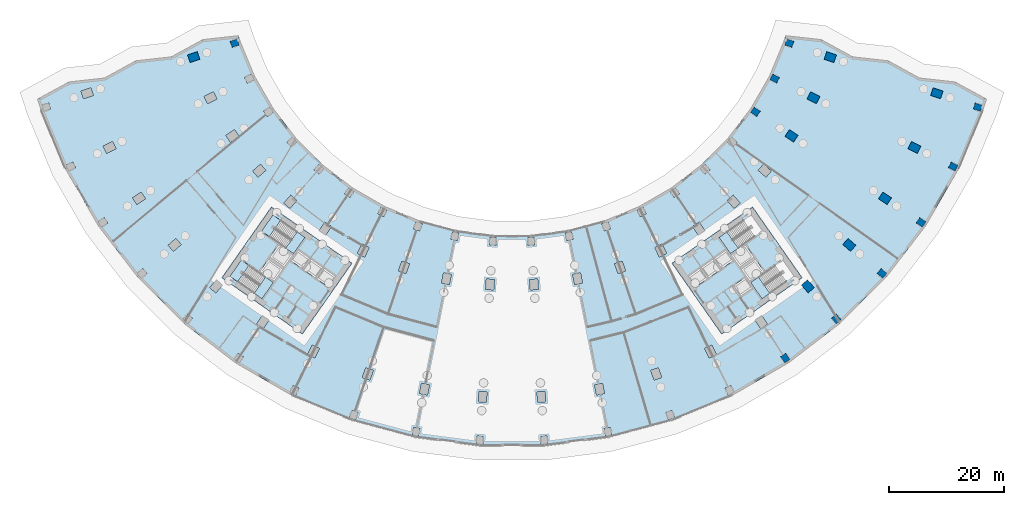
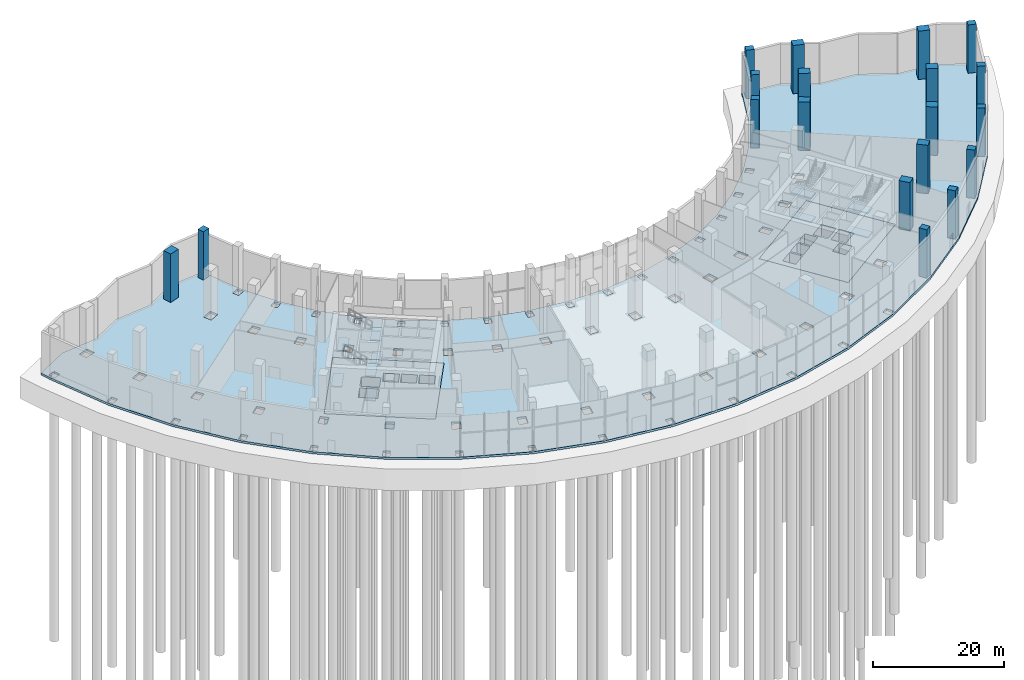
# One storey, part 2 of 23: 19 columns, 13 slabs, 4 elements without a shape of their own.
"""IFC4 building model written with IfcOpenShell, lengths in metres."""

from ifc_helpers import new_model, si_unit, direction, frame, origin, origin_2d, place, context, subcontext, project, spatial, polyline, rectangle, outline, extrude, material, layer, layer_set, material_profile, profile_set, type_object, element, aggregate, save


model = new_model("IFC4")

# Units and contexts
model_context = context("Model", 3, precision=1e-05, world=origin(), true_north=direction((0.0, 1.0)))
body_context = subcontext(model_context, "Body", "Model", "MODEL_VIEW")
ifc_project = project(units=[si_unit("LENGTHUNIT", "METRE"), si_unit("AREAUNIT", "SQUARE_METRE"), si_unit("VOLUMEUNIT", "CUBIC_METRE"), si_unit("PLANEANGLEUNIT", "RADIAN"), si_unit("MASSUNIT", "GRAM", prefix="KILO")], contexts=[model_context])

# Site, building, storey
site_placement = place(None, origin())
site = spatial("IfcSite", under=ifc_project, at=site_placement, CompositionType="ELEMENT")
building_placement = place(site_placement, origin())
building = spatial("IfcBuilding", under=site, at=building_placement, Name="Qamariyya Broadcast Tower", CompositionType="ELEMENT")
storey_placement = place(building_placement, origin())
storey = spatial("IfcBuildingStorey", under=building, at=storey_placement, Name="L00", CompositionType="ELEMENT", Elevation=0.0)

# Columns
ifc_material_1 = material(Name="Concrete C70/85", Category="concrete")
ifc_material_profile_1 = material_profile(ifc_material_1, rectangle(XDim=1.10009765625, YDim=1.300048828125, at=origin_2d()))
ifc_profile_set_1 = profile_set([ifc_material_profile_1], Name="Concrete C70/85")
column_type_1 = type_object("IfcColumnType", Name="RC column 1100 x 1300 C70/85 from raft", PredefinedType="COLUMN", material=ifc_profile_set_1)
for number, where, z_axis, x_axis, name in (
    (1, (-48.056640625, -16.31298828125, -0.39990234375), (0.0, 0.0, 1.0), (0.321439465303, -0.946930129495, 0.0), "Column C1 L00 A-R01"),
    (2, (47.3623046875, -70.8828125, -0.39990234375), (0.0, 0.0, 1.0), (0.831469612303, 0.55557023302, 0.0), "Column C1 L00 D-R15"),
    (3, (56.209228515625, -64.09423828125, -0.39990234375), (0.0, 0.0, 1.0), (0.751839807479, 0.6593458151, 0.0), "Column C1 L00 D-R16"),
    (4, (64.09423828125, -56.209228515625, -0.39990234375), (0.0, 0.0, 1.0), (0.6593458151, 0.751839807479, 0.0), "Column C1 L00 D-R17"),
    (5, (42.197021484375, -28.195068359375, -0.39990234375), (0.0, 0.0, 1.0), (0.55557023302, 0.831469612303, 0.0), "Column C1 L00 A-R18"),
    (6, (70.8828125, -47.3623046875, -0.39990234375), (0.0, 0.0, 1.0), (0.55557023302, 0.831469612303, 0.0), "Column C1 L00 D-R18"),
    (7, (45.516357421875, -22.446044921875, -0.39990234375), (0.0, 0.0, 1.0), (0.442288690219, 0.896872741533, 0.0), "Column C1 L00 A-R19"),
    (8, (76.45849609375, -37.705078125, -0.39990234375), (0.0, 0.0, 1.0), (0.442288690219, 0.896872741533, 0.0), "Column C1 L00 D-R19"),
    (9, (48.056640625, -16.31298828125, -0.39990234375), (0.0, 0.0, 1.0), (0.321439465303, 0.946930129495, 0.0), "Column C1 L00 A-R20"),
    (10, (80.725830078125, -27.40283203125, -0.39990234375), (0.0, 0.0, 1.0), (0.321439465303, 0.946930129495, 0.0), "Column C1 L00 D-R20"),
):
    element("IfcColumn", number, at=place(storey_placement, frame(where, z_axis=z_axis, x_axis=x_axis)), inside=storey, type_object=column_type_1, Name=name, PredefinedType="COLUMN", context=body_context, shape_type="SweptSolid", body=[
        extrude(rectangle(XDim=1.10009765625, YDim=1.300048828125, at=origin_2d()), origin(), (0.0, 0.0, 1.0), 9.39990234375),
    ])
ifc_material_profile_2 = material_profile(ifc_material_1, rectangle(XDim=1.39990234375, YDim=1.800048828125, at=origin_2d()))
ifc_profile_set_2 = profile_set([ifc_material_profile_2], Name="Concrete C70/85")
column_type_2 = type_object("IfcColumnType", Name="RC column 1400 x 1800 C70/85 from raft", PredefinedType="COLUMN", material=ifc_profile_set_2)
for number, where, z_axis, x_axis, name in (
    (11, (-55.15869140625, -18.723876953125, -0.39990234375), (0.0, 0.0, 1.0), (0.321439465303, -0.946930129495, 0.0), "Column C2 L00 B-R01"),
    (12, (51.26416015625, -58.45556640625, -0.39990234375), (0.0, 0.0, 1.0), (0.751839807479, 0.6593458151, 0.0), "Column C2 L00 C-R16"),
    (13, (58.45556640625, -51.26416015625, -0.39990234375), (0.0, 0.0, 1.0), (0.6593458151, 0.751839807479, 0.0), "Column C2 L00 C-R17"),
    (14, (48.43310546875, -32.362060546875, -0.39990234375), (0.0, 0.0, 1.0), (0.55557023302, 0.831469612303, 0.0), "Column C2 L00 B-R18"),
    (15, (64.646728515625, -43.195556640625, -0.39990234375), (0.0, 0.0, 1.0), (0.55557023302, 0.831469612303, 0.0), "Column C2 L00 C-R18"),
    (16, (52.242919921875, -25.763427734375, -0.39990234375), (0.0, 0.0, 1.0), (0.442288690219, 0.896872741533, 0.0), "Column C2 L00 B-R19"),
    (17, (69.73193359375, -34.387939453125, -0.39990234375), (0.0, 0.0, 1.0), (0.442288690219, 0.896872741533, 0.0), "Column C2 L00 C-R19"),
    (18, (55.15869140625, -18.723876953125, -0.39990234375), (0.0, 0.0, 1.0), (0.321439465303, 0.946930129495, 0.0), "Column C2 L00 B-R20"),
    (19, (73.623779296875, -24.991943359375, -0.39990234375), (0.0, 0.0, 1.0), (0.321439465303, 0.946930129495, 0.0), "Column C2 L00 C-R20"),
):
    element("IfcColumn", number, at=place(storey_placement, frame(where, z_axis=z_axis, x_axis=x_axis)), inside=storey, type_object=column_type_2, Name=name, PredefinedType="COLUMN", context=body_context, shape_type="SweptSolid", body=[
        extrude(rectangle(XDim=1.39990234375, YDim=1.800048828125, at=origin_2d()), origin(), (0.0, 0.0, 1.0), 9.39990234375),
    ])

# Slabs
ifc_material_2 = material(Name="Concrete C40/50", Category="concrete")
ifc_layer_1 = layer(ifc_material_2, 2.199951171875)
ifc_layer_set_1 = layer_set([ifc_layer_1], Name="Core raft slab 2200 mm Concrete C40/50")
slab_type_1 = type_object("IfcSlabType", Name="Core raft slab 2200 mm Concrete C40/50", PredefinedType="BASESLAB", material=ifc_layer_set_1)
slab_1_placement = place(storey_placement, frame((0.0, 0.0, -2.199951171875)))
element("IfcSlab", 20, at=slab_1_placement, inside=storey, type_object=slab_type_1, Name="k-W-L00-base", PredefinedType="BASESLAB", context=body_context, shape_type="SweptSolid", body=[
    extrude(outline(polyline([(-50.286376953125, -56.95751953125), (-36.32373046875, -66.734375), (-27.719970703125, -54.447021484375), (-41.6826171875, -44.67041015625), (-50.286376953125, -56.95751953125)]), holes=[polyline([(-31.80859375, -58.542724609375), (-33.8154296875, -57.137451171875), (-32.5537109375, -55.335205078125), (-30.546630859375, -56.740478515625), (-31.80859375, -58.542724609375)]), polyline([(-34.061279296875, -56.96533203125), (-36.068115234375, -55.56005859375), (-34.806396484375, -53.758056640625), (-32.79931640625, -55.163330078125), (-34.061279296875, -56.96533203125)]), polyline([(-36.31396484375, -55.387939453125), (-38.32080078125, -53.982666015625), (-37.058837890625, -52.1806640625), (-35.052001953125, -53.5859375), (-36.31396484375, -55.387939453125)]), polyline([(-39.742431640625, -55.489990234375), (-42.199951171875, -53.769287109375), (-43.6337890625, -55.817138671875), (-41.17626953125, -57.537841796875), (-39.742431640625, -55.489990234375)]), polyline([(-39.45556640625, -55.080322265625), (-41.9130859375, -53.359619140625), (-40.47900390625, -51.311767578125), (-38.021728515625, -53.032470703125), (-39.45556640625, -55.080322265625)])]), origin(), (0.0, 0.0, 1.0), 2.199951171875),
])
slab_2_placement = place(storey_placement, frame((0.0, 0.0, -2.199951171875)))
element("IfcSlab", 21, at=slab_2_placement, inside=storey, type_object=slab_type_1, Name="k-E-L00-base", PredefinedType="BASESLAB", context=body_context, shape_type="SweptSolid", body=[
    extrude(outline(polyline([(36.32373046875, -66.734375), (50.286376953125, -56.95751953125), (41.6826171875, -44.67041015625), (27.719970703125, -54.447021484375), (36.32373046875, -66.734375)]), holes=[polyline([(31.80859375, -58.542724609375), (33.8154296875, -57.137451171875), (32.5537109375, -55.335205078125), (30.546630859375, -56.740478515625), (31.80859375, -58.542724609375)]), polyline([(34.061279296875, -56.96533203125), (36.068115234375, -55.56005859375), (34.806396484375, -53.758056640625), (32.79931640625, -55.163330078125), (34.061279296875, -56.96533203125)]), polyline([(36.31396484375, -55.387939453125), (38.32080078125, -53.982666015625), (37.058837890625, -52.1806640625), (35.052001953125, -53.5859375), (36.31396484375, -55.387939453125)]), polyline([(38.378662109375, -58.3369140625), (40.3857421875, -56.931640625), (41.6474609375, -58.73388671875), (39.640625, -60.13916015625), (38.378662109375, -58.3369140625)]), polyline([(39.742431640625, -55.489990234375), (42.199951171875, -53.769287109375), (43.6337890625, -55.817138671875), (41.17626953125, -57.537841796875), (39.742431640625, -55.489990234375)]), polyline([(39.45556640625, -55.080322265625), (41.9130859375, -53.359619140625), (40.47900390625, -51.311767578125), (38.021728515625, -53.032470703125), (39.45556640625, -55.080322265625)])]), origin(), (0.0, 0.0, 1.0), 2.199951171875),
])
ifc_layer_2 = layer(ifc_material_2, 0.39990234375)
ifc_layer_set_2 = layer_set([ifc_layer_2], Name="Ground slab 400 C40/50")
slab_type_2 = type_object("IfcSlabType", Name="Ground slab 400 C40/50", PredefinedType="BASESLAB", material=ifc_layer_set_2)
slab_3_placement = place(storey_placement, frame((0.0, 0.0, -0.39990234375)))
element("IfcSlab", 22, at=slab_3_placement, inside=storey, type_object=slab_type_2, Name="Floor slab S2 L00", PredefinedType="BASESLAB", context=body_context, shape_type="SweptSolid", body=[
    extrude(outline(polyline([(-76.78857421875, -23.0263671875), (-82.2353515625, -26.007568359375), (-81.672607421875, -27.72412109375), (-77.355224609375, -38.1474609375), (-71.71435546875, -47.91796875), (-64.84619140625, -56.86865234375), (-56.86865234375, -64.84619140625), (-47.91796875, -71.71435546875), (-38.1474609375, -77.355224609375), (-27.72412109375, -81.672607421875), (-16.82666015625, -84.5927734375), (-5.64111328125, -86.0654296875), (5.64111328125, -86.0654296875), (16.82666015625, -84.5927734375), (27.72412109375, -81.672607421875), (38.1474609375, -77.355224609375), (47.91796875, -71.71435546875), (56.86865234375, -64.84619140625), (64.84619140625, -56.86865234375), (71.71435546875, -47.91796875), (77.355224609375, -38.1474609375), (81.672607421875, -27.72412109375), (82.2353515625, -26.007568359375), (76.78857421875, -23.0263671875), (70.635009765625, -22.3388671875), (65.1865234375, -19.357421875), (59.03466796875, -18.670166015625), (53.583984375, -15.68798828125), (47.434326171875, -15.00146484375), (47.10986328125, -15.99169921875), (44.619384765625, -22.00390625), (41.36572265625, -27.6396484375), (37.404052734375, -32.802490234375), (32.802490234375, -37.404052734375), (27.6396484375, -41.36572265625), (22.00390625, -44.619384765625), (15.99169921875, -47.10986328125), (9.705810546875, -48.794189453125), (3.25390625, -49.6435546875), (-3.25390625, -49.6435546875), (-9.705810546875, -48.794189453125), (-15.99169921875, -47.10986328125), (-22.00390625, -44.619384765625), (-27.6396484375, -41.36572265625), (-32.802490234375, -37.404052734375), (-37.404052734375, -32.802490234375), (-41.36572265625, -27.6396484375), (-44.619384765625, -22.00390625), (-47.10986328125, -15.99169921875), (-47.434326171875, -15.00146484375), (-53.583984375, -15.68798828125), (-59.03466796875, -18.670166015625), (-65.1865234375, -19.357421875), (-70.635009765625, -22.3388671875), (-76.78857421875, -23.0263671875)]), holes=[polyline([(-27.714599609375, -79.93359375), (-26.6728515625, -80.287109375), (-27.0908203125, -81.51806640625), (-28.132568359375, -81.16455078125), (-27.714599609375, -79.93359375)]), polyline([(-37.910888671875, -75.632080078125), (-36.92431640625, -76.11865234375), (-37.499267578125, -77.28466796875), (-38.48583984375, -76.798095703125), (-37.910888671875, -75.632080078125)]), polyline([(-47.45849609375, -70.036865234375), (-46.5439453125, -70.64794921875), (-47.26611328125, -71.728759765625), (-48.180908203125, -71.11767578125), (-47.45849609375, -70.036865234375)]), polyline([(-33.362060546875, -69.234375), (-34.158203125, -70.8486328125), (-35.413818359375, -70.2294921875), (-34.61767578125, -68.614990234375), (-33.362060546875, -69.234375)]), polyline([(-42.113525390625, -64.287353515625), (-43.113525390625, -65.783935546875), (-44.277587890625, -65.006103515625), (-43.277587890625, -63.509521484375), (-42.113525390625, -64.287353515625)]), polyline([(-56.194091796875, -63.242919921875), (-55.3671875, -63.96826171875), (-56.224365234375, -64.94580078125), (-57.05126953125, -64.220458984375), (-56.194091796875, -63.242919921875)]), polyline([(-51.197021484375, -57.3173828125), (-50.14453125, -58.240478515625), (-51.331298828125, -59.59375), (-52.3837890625, -58.670654296875), (-51.197021484375, -57.3173828125)]), polyline([(-63.96826171875, -55.3671875), (-63.242919921875, -56.194091796875), (-64.220458984375, -57.05126953125), (-64.94580078125, -56.224365234375), (-63.96826171875, -55.3671875)]), polyline([(-27.719970703125, -54.447021484375), (-36.32373046875, -66.734375), (-50.286376953125, -56.95751953125), (-41.6826171875, -44.67041015625), (-27.719970703125, -54.447021484375)]), polyline([(-57.3173828125, -51.197021484375), (-58.670654296875, -52.3837890625), (-59.59375, -51.331298828125), (-58.240478515625, -50.14453125), (-57.3173828125, -51.197021484375)]), polyline([(-32.444091796875, -47.2958984375), (-31.280029296875, -48.07373046875), (-32.280029296875, -49.5703125), (-33.444091796875, -48.79248046875), (-32.444091796875, -47.2958984375)]), polyline([(-70.64794921875, -46.5439453125), (-70.036865234375, -47.45849609375), (-71.11767578125, -48.180908203125), (-71.728759765625, -47.26611328125), (-70.64794921875, -46.5439453125)]), polyline([(-38.33984375, -42.656494140625), (-37.287109375, -43.57958984375), (-38.47412109375, -44.932861328125), (-39.526611328125, -44.009765625), (-38.33984375, -42.656494140625)]), polyline([(-63.509521484375, -43.277587890625), (-65.006103515625, -44.277587890625), (-65.783935546875, -43.113525390625), (-64.287353515625, -42.113525390625), (-63.509521484375, -43.277587890625)]), polyline([(-27.376708984375, -41.962158203125), (-28.09912109375, -43.043212890625), (-29.013671875, -42.431884765625), (-28.291259765625, -41.35107421875), (-27.376708984375, -41.962158203125)]), polyline([(-43.57958984375, -37.287109375), (-42.656494140625, -38.33984375), (-44.009765625, -39.526611328125), (-44.932861328125, -38.47412109375), (-43.57958984375, -37.287109375)]), polyline([(-33.44677734375, -37.304443359375), (-32.61962890625, -38.02978515625), (-33.476806640625, -39.00732421875), (-34.303955078125, -38.281982421875), (-33.44677734375, -37.304443359375)]), polyline([(-76.11865234375, -36.92431640625), (-75.632080078125, -37.910888671875), (-76.798095703125, -38.48583984375), (-77.28466796875, -37.499267578125), (-76.11865234375, -36.92431640625)]), polyline([(-68.614990234375, -34.61767578125), (-70.2294921875, -35.413818359375), (-70.8486328125, -34.158203125), (-69.234375, -33.362060546875), (-68.614990234375, -34.61767578125)]), polyline([(-37.304443359375, -33.44677734375), (-38.281982421875, -34.303955078125), (-39.00732421875, -33.476806640625), (-38.02978515625, -32.61962890625), (-37.304443359375, -33.44677734375)]), polyline([(-48.07373046875, -31.280029296875), (-47.2958984375, -32.444091796875), (-48.79248046875, -33.444091796875), (-49.5703125, -32.280029296875), (-48.07373046875, -31.280029296875)]), polyline([(-41.962158203125, -27.376708984375), (-41.35107421875, -28.291259765625), (-42.431884765625, -29.013671875), (-43.043212890625, -28.09912109375), (-41.962158203125, -27.376708984375)]), polyline([(-80.287109375, -26.6728515625), (-79.93359375, -27.714599609375), (-81.16455078125, -28.132568359375), (-81.51806640625, -27.0908203125), (-80.287109375, -26.6728515625)]), polyline([(-51.1259765625, -25.9931640625), (-52.740478515625, -26.789306640625), (-53.359619140625, -25.533447265625), (-51.745361328125, -24.737548828125), (-51.1259765625, -25.9931640625)]), polyline([(-72.546630859375, -25.365478515625), (-74.2509765625, -25.944091796875), (-74.701171875, -24.618408203125), (-72.99658203125, -24.039794921875), (-72.546630859375, -25.365478515625)]), polyline([(-45.176513671875, -21.665283203125), (-44.690185546875, -22.65185546875), (-45.85595703125, -23.226806640625), (-46.342529296875, -22.240478515625), (-45.176513671875, -21.665283203125)]), polyline([(-54.531494140625, -17.771728515625), (-54.08154296875, -19.097412109375), (-55.785888671875, -19.676025390625), (-56.23583984375, -18.350341796875), (-54.531494140625, -17.771728515625)]), polyline([(-47.617919921875, -15.583251953125), (-47.264404296875, -16.625), (-48.495361328125, -17.042724609375), (-48.84912109375, -16.001220703125), (-47.617919921875, -15.583251953125)]), polyline([(6.08203125, -84.3828125), (6.1669921875, -85.68017578125), (5.0693359375, -85.751953125), (4.984375, -84.454833984375), (6.08203125, -84.3828125)]), polyline([(-4.984375, -84.454833984375), (-5.0693359375, -85.751953125), (-6.1669921875, -85.68017578125), (-6.08203125, -84.3828125), (-4.984375, -84.454833984375)]), polyline([(-17.044189453125, -82.8671875), (-15.965087890625, -83.081787109375), (-16.21875, -84.356689453125), (-17.297607421875, -84.14208984375), (-17.044189453125, -82.8671875)]), polyline([(15.965087890625, -83.081787109375), (17.044189453125, -82.8671875), (17.297607421875, -84.14208984375), (16.21875, -84.356689453125), (15.965087890625, -83.081787109375)]), polyline([(26.6728515625, -80.287109375), (27.714599609375, -79.93359375), (28.132568359375, -81.16455078125), (27.0908203125, -81.51806640625), (26.6728515625, -80.287109375)]), polyline([(-4.32763671875, -76.731201171875), (-4.445556640625, -78.52734375), (-5.842529296875, -78.435791015625), (-5.724853515625, -76.6396484375), (-4.32763671875, -76.731201171875)]), polyline([(5.724853515625, -76.6396484375), (5.842529296875, -78.435791015625), (4.445556640625, -78.52734375), (4.32763671875, -76.731201171875), (5.724853515625, -76.6396484375)]), polyline([(-15.67919921875, -75.23681640625), (-14.30615234375, -75.510009765625), (-14.6572265625, -77.275390625), (-16.030517578125, -77.002197265625), (-15.67919921875, -75.23681640625)]), polyline([(15.67919921875, -75.23681640625), (16.030517578125, -77.002197265625), (14.6572265625, -77.275390625), (14.30615234375, -75.510009765625), (15.67919921875, -75.23681640625)]), polyline([(-24.039794921875, -72.99658203125), (-24.618408203125, -74.701171875), (-25.944091796875, -74.2509765625), (-25.365478515625, -72.546630859375), (-24.039794921875, -72.99658203125)]), polyline([(24.039794921875, -72.99658203125), (25.365478515625, -72.546630859375), (25.944091796875, -74.2509765625), (24.618408203125, -74.701171875), (24.039794921875, -72.99658203125)]), polyline([(4.449462890625, -57.181396484375), (4.567138671875, -58.9775390625), (3.170166015625, -59.069091796875), (3.05224609375, -57.27294921875), (4.449462890625, -57.181396484375)]), polyline([(-3.05224609375, -57.27294921875), (-3.170166015625, -59.069091796875), (-4.567138671875, -58.9775390625), (-4.449462890625, -57.181396484375), (-3.05224609375, -57.27294921875)]), polyline([(10.501953125, -56.384521484375), (11.875, -56.111572265625), (12.22607421875, -57.876953125), (10.85302734375, -58.14990234375), (10.501953125, -56.384521484375)]), polyline([(-11.875, -56.111572265625), (-10.501953125, -56.384521484375), (-10.85302734375, -58.14990234375), (-12.22607421875, -57.876953125), (-11.875, -56.111572265625)]), polyline([(17.771728515625, -54.531494140625), (19.097412109375, -54.08154296875), (19.676025390625, -55.785888671875), (18.350341796875, -56.23583984375), (17.771728515625, -54.531494140625)]), polyline([(-17.771728515625, -54.531494140625), (-18.350341796875, -56.23583984375), (-19.676025390625, -55.785888671875), (-19.097412109375, -54.08154296875), (-17.771728515625, -54.531494140625)]), polyline([(-24.737548828125, -51.745361328125), (-25.533447265625, -53.359619140625), (-26.789306640625, -52.740478515625), (-25.9931640625, -51.1259765625), (-24.737548828125, -51.745361328125)]), polyline([(24.737548828125, -51.745361328125), (25.9931640625, -51.1259765625), (26.789306640625, -52.740478515625), (25.533447265625, -53.359619140625), (24.737548828125, -51.745361328125)]), polyline([(-3.825439453125, -49.956787109375), (-2.727783203125, -50.02880859375), (-2.81298828125, -51.325927734375), (-3.91064453125, -51.25390625), (-3.825439453125, -49.956787109375)]), polyline([(2.727783203125, -50.02880859375), (3.825439453125, -49.956787109375), (3.91064453125, -51.25390625), (2.81298828125, -51.325927734375), (2.727783203125, -50.02880859375)]), polyline([(-9.234619140625, -49.24462890625), (-9.48828125, -50.519775390625), (-10.567138671875, -50.30517578125), (-10.3134765625, -49.030029296875), (-9.234619140625, -49.24462890625)]), polyline([(10.3134765625, -49.030029296875), (10.567138671875, -50.30517578125), (9.48828125, -50.519775390625), (9.234619140625, -49.24462890625), (10.3134765625, -49.030029296875)]), polyline([(15.583251953125, -47.617919921875), (16.625, -47.264404296875), (17.042724609375, -48.495361328125), (16.001220703125, -48.84912109375), (15.583251953125, -47.617919921875)]), polyline([(-16.625, -47.264404296875), (-15.583251953125, -47.617919921875), (-16.001220703125, -48.84912109375), (-17.042724609375, -48.495361328125), (-16.625, -47.264404296875)]), polyline([(21.665283203125, -45.176513671875), (22.65185546875, -44.690185546875), (23.226806640625, -45.85595703125), (22.240478515625, -46.342529296875), (21.665283203125, -45.176513671875)]), polyline([(-21.665283203125, -45.176513671875), (-22.240478515625, -46.342529296875), (-23.226806640625, -45.85595703125), (-22.65185546875, -44.690185546875), (-21.665283203125, -45.176513671875)]), polyline([(28.291259765625, -41.35107421875), (29.013671875, -42.431884765625), (28.09912109375, -43.043212890625), (27.376708984375, -41.962158203125), (28.291259765625, -41.35107421875)]), polyline([(36.92431640625, -76.11865234375), (37.910888671875, -75.632080078125), (38.48583984375, -76.798095703125), (37.499267578125, -77.28466796875), (36.92431640625, -76.11865234375)]), polyline([(46.5439453125, -70.64794921875), (47.45849609375, -70.036865234375), (48.180908203125, -71.11767578125), (47.26611328125, -71.728759765625), (46.5439453125, -70.64794921875)]), polyline([(33.362060546875, -69.234375), (34.61767578125, -68.614990234375), (35.413818359375, -70.2294921875), (34.158203125, -70.8486328125), (33.362060546875, -69.234375)]), polyline([(43.277587890625, -63.509521484375), (44.277587890625, -65.006103515625), (43.113525390625, -65.783935546875), (42.113525390625, -64.287353515625), (43.277587890625, -63.509521484375)]), polyline([(56.194091796875, -63.242919921875), (57.05126953125, -64.220458984375), (56.224365234375, -64.94580078125), (55.3671875, -63.96826171875), (56.194091796875, -63.242919921875)]), polyline([(50.14453125, -58.240478515625), (51.197021484375, -57.3173828125), (52.3837890625, -58.670654296875), (51.331298828125, -59.59375), (50.14453125, -58.240478515625)]), polyline([(63.242919921875, -56.194091796875), (63.96826171875, -55.3671875), (64.94580078125, -56.224365234375), (64.220458984375, -57.05126953125), (63.242919921875, -56.194091796875)]), polyline([(27.719970703125, -54.447021484375), (41.6826171875, -44.67041015625), (50.286376953125, -56.95751953125), (36.32373046875, -66.734375), (27.719970703125, -54.447021484375)]), polyline([(58.240478515625, -50.14453125), (59.59375, -51.331298828125), (58.670654296875, -52.3837890625), (57.3173828125, -51.197021484375), (58.240478515625, -50.14453125)]), polyline([(32.444091796875, -47.2958984375), (33.444091796875, -48.79248046875), (32.280029296875, -49.5703125), (31.280029296875, -48.07373046875), (32.444091796875, -47.2958984375)]), polyline([(70.036865234375, -47.45849609375), (70.64794921875, -46.5439453125), (71.728759765625, -47.26611328125), (71.11767578125, -48.180908203125), (70.036865234375, -47.45849609375)]), polyline([(37.287109375, -43.57958984375), (38.33984375, -42.656494140625), (39.526611328125, -44.009765625), (38.47412109375, -44.932861328125), (37.287109375, -43.57958984375)]), polyline([(63.509521484375, -43.277587890625), (64.287353515625, -42.113525390625), (65.783935546875, -43.113525390625), (65.006103515625, -44.277587890625), (63.509521484375, -43.277587890625)]), polyline([(43.57958984375, -37.287109375), (44.932861328125, -38.47412109375), (44.009765625, -39.526611328125), (42.656494140625, -38.33984375), (43.57958984375, -37.287109375)]), polyline([(33.44677734375, -37.304443359375), (34.303955078125, -38.281982421875), (33.476806640625, -39.00732421875), (32.61962890625, -38.02978515625), (33.44677734375, -37.304443359375)]), polyline([(75.632080078125, -37.910888671875), (76.11865234375, -36.92431640625), (77.28466796875, -37.499267578125), (76.798095703125, -38.48583984375), (75.632080078125, -37.910888671875)]), polyline([(68.614990234375, -34.61767578125), (69.234375, -33.362060546875), (70.8486328125, -34.158203125), (70.2294921875, -35.413818359375), (68.614990234375, -34.61767578125)]), polyline([(37.304443359375, -33.44677734375), (38.02978515625, -32.61962890625), (39.00732421875, -33.476806640625), (38.281982421875, -34.303955078125), (37.304443359375, -33.44677734375)]), polyline([(48.07373046875, -31.280029296875), (49.5703125, -32.280029296875), (48.79248046875, -33.444091796875), (47.2958984375, -32.444091796875), (48.07373046875, -31.280029296875)]), polyline([(41.962158203125, -27.376708984375), (43.043212890625, -28.09912109375), (42.431884765625, -29.013671875), (41.35107421875, -28.291259765625), (41.962158203125, -27.376708984375)]), polyline([(79.93359375, -27.714599609375), (80.287109375, -26.6728515625), (81.51806640625, -27.0908203125), (81.16455078125, -28.132568359375), (79.93359375, -27.714599609375)]), polyline([(51.745361328125, -24.737548828125), (53.359619140625, -25.533447265625), (52.740478515625, -26.789306640625), (51.1259765625, -25.9931640625), (51.745361328125, -24.737548828125)]), polyline([(72.99658203125, -24.039794921875), (74.701171875, -24.618408203125), (74.2509765625, -25.944091796875), (72.546630859375, -25.365478515625), (72.99658203125, -24.039794921875)]), polyline([(44.690185546875, -22.65185546875), (45.176513671875, -21.665283203125), (46.342529296875, -22.240478515625), (45.85595703125, -23.226806640625), (44.690185546875, -22.65185546875)]), polyline([(54.531494140625, -17.771728515625), (56.23583984375, -18.350341796875), (55.785888671875, -19.676025390625), (54.08154296875, -19.097412109375), (54.531494140625, -17.771728515625)]), polyline([(47.617919921875, -15.583251953125), (48.84912109375, -16.001220703125), (48.495361328125, -17.042724609375), (47.264404296875, -16.625), (47.617919921875, -15.583251953125)])]), origin(), (0.0, 0.0, 1.0), 0.39990234375),
])

# Stair, slabs
ifc_material_3 = material(Name="Concrete C50/60", Category="concrete")
stair_type = type_object("IfcStairType", Name="Exit stair 52 risers of 173 mm", PredefinedType="HALF_TURN_STAIR", material=ifc_material_3)
stair_1_placement = place(storey_placement, origin())
stair_1 = element("IfcStair", 23, at=stair_1_placement, inside=storey, type_object=stair_type, Name="L00 Stair W2", PredefinedType="HALF_TURN_STAIR")
ifc_layer_3 = layer(ifc_material_3, 0.199951171875)
ifc_layer_set_3 = layer_set([ifc_layer_3], Name="Stair landing")
slab_type_3 = type_object("IfcSlabType", Name="Stair landing", PredefinedType="LANDING", material=ifc_layer_set_3)
slab_4_placement = place(storey_placement, frame((0.0, 0.0, 2.050048828125)))
slab_4 = element("IfcSlab", 24, at=slab_4_placement, type_object=slab_type_3, Name="ST-W2 landing 1", PredefinedType="LANDING", context=body_context, shape_type="SweptSolid", body=[
    extrude(outline(polyline([(-39.217041015625, -51.829345703125), (-37.849609375, -52.78662109375), (-35.870849609375, -49.960693359375), (-37.23828125, -49.003173828125), (-39.217041015625, -51.829345703125)])), origin(), (0.0, 0.0, 1.0), 0.199951171875),
])
slab_5_placement = place(storey_placement, frame((0.0, 0.0, 4.300048828125)))
slab_5 = element("IfcSlab", 25, at=slab_5_placement, type_object=slab_type_3, Name="ST-W2 landing 2", PredefinedType="LANDING", context=body_context, shape_type="SweptSolid", body=[
    extrude(outline(polyline([(-43.416015625, -48.88916015625), (-42.06103515625, -49.837890625), (-40.082275390625, -47.01171875), (-41.437255859375, -46.06298828125), (-43.416015625, -48.88916015625)])), origin(), (0.0, 0.0, 1.0), 0.199951171875),
])
slab_6_placement = place(storey_placement, frame((0.0, 0.0, 6.550048828125)))
slab_6 = element("IfcSlab", 26, at=slab_6_placement, type_object=slab_type_3, Name="ST-W2 landing 3", PredefinedType="LANDING", context=body_context, shape_type="SweptSolid", body=[
    extrude(outline(polyline([(-39.217041015625, -51.829345703125), (-37.849609375, -52.78662109375), (-35.870849609375, -49.960693359375), (-37.23828125, -49.003173828125), (-39.217041015625, -51.829345703125)])), origin(), (0.0, 0.0, 1.0), 0.199951171875),
])
aggregate(stair_1, [slab_4, slab_5, slab_6])

stair_2_placement = place(storey_placement, origin())
stair_2 = element("IfcStair", 27, at=stair_2_placement, inside=storey, type_object=stair_type, Name="L00 Stair W1", PredefinedType="HALF_TURN_STAIR")
slab_7_placement = place(storey_placement, frame((0.0, 0.0, 2.050048828125)))
slab_7 = element("IfcSlab", 28, at=slab_7_placement, type_object=slab_type_3, Name="ST-W1 landing 1", PredefinedType="LANDING", context=body_context, shape_type="SweptSolid", body=[
    extrude(outline(polyline([(-44.694580078125, -59.652099609375), (-43.3271484375, -60.609619140625), (-41.348388671875, -57.783447265625), (-42.7158203125, -56.826171875), (-44.694580078125, -59.652099609375)])), origin(), (0.0, 0.0, 1.0), 0.199951171875),
])
slab_8_placement = place(storey_placement, frame((0.0, 0.0, 4.300048828125)))
slab_8 = element("IfcSlab", 29, at=slab_8_placement, type_object=slab_type_3, Name="ST-W1 landing 2", PredefinedType="LANDING", context=body_context, shape_type="SweptSolid", body=[
    extrude(outline(polyline([(-48.8935546875, -56.7119140625), (-47.538818359375, -57.66064453125), (-45.559814453125, -54.834716796875), (-46.914794921875, -53.885986328125), (-48.8935546875, -56.7119140625)])), origin(), (0.0, 0.0, 1.0), 0.199951171875),
])
slab_9_placement = place(storey_placement, frame((0.0, 0.0, 6.550048828125)))
slab_9 = element("IfcSlab", 30, at=slab_9_placement, type_object=slab_type_3, Name="ST-W1 landing 3", PredefinedType="LANDING", context=body_context, shape_type="SweptSolid", body=[
    extrude(outline(polyline([(-44.694580078125, -59.652099609375), (-43.3271484375, -60.609619140625), (-41.348388671875, -57.783447265625), (-42.7158203125, -56.826171875), (-44.694580078125, -59.652099609375)])), origin(), (0.0, 0.0, 1.0), 0.199951171875),
])
aggregate(stair_2, [slab_7, slab_8, slab_9])

stair_3_placement = place(storey_placement, origin())
stair_3 = element("IfcStair", 31, at=stair_3_placement, inside=storey, type_object=stair_type, Name="L00 Stair E2", PredefinedType="HALF_TURN_STAIR")
slab_10_placement = place(storey_placement, frame((0.0, 0.0, 2.050048828125)))
slab_10 = element("IfcSlab", 32, at=slab_10_placement, type_object=slab_type_3, Name="ST-E2 landing 1", PredefinedType="LANDING", context=body_context, shape_type="SweptSolid", body=[
    extrude(outline(polyline([(37.23828125, -49.003173828125), (35.870849609375, -49.960693359375), (37.849609375, -52.78662109375), (39.217041015625, -51.829345703125), (37.23828125, -49.003173828125)])), origin(), (0.0, 0.0, 1.0), 0.199951171875),
])
slab_11_placement = place(storey_placement, frame((0.0, 0.0, 6.550048828125)))
slab_11 = element("IfcSlab", 33, at=slab_11_placement, type_object=slab_type_3, Name="ST-E2 landing 3", PredefinedType="LANDING", context=body_context, shape_type="SweptSolid", body=[
    extrude(outline(polyline([(37.23828125, -49.003173828125), (35.870849609375, -49.960693359375), (37.849609375, -52.78662109375), (39.217041015625, -51.829345703125), (37.23828125, -49.003173828125)])), origin(), (0.0, 0.0, 1.0), 0.199951171875),
])
aggregate(stair_3, [slab_10, slab_11])

stair_4_placement = place(storey_placement, origin())
stair_4 = element("IfcStair", 34, at=stair_4_placement, inside=storey, type_object=stair_type, Name="L00 Stair E1", PredefinedType="HALF_TURN_STAIR")
slab_12_placement = place(storey_placement, frame((0.0, 0.0, 2.050048828125)))
slab_12 = element("IfcSlab", 35, at=slab_12_placement, type_object=slab_type_3, Name="ST-E1 landing 1", PredefinedType="LANDING", context=body_context, shape_type="SweptSolid", body=[
    extrude(outline(polyline([(42.7158203125, -56.826171875), (41.348388671875, -57.783447265625), (43.3271484375, -60.609619140625), (44.694580078125, -59.652099609375), (42.7158203125, -56.826171875)])), origin(), (0.0, 0.0, 1.0), 0.199951171875),
])
slab_13_placement = place(storey_placement, frame((0.0, 0.0, 6.550048828125)))
slab_13 = element("IfcSlab", 36, at=slab_13_placement, type_object=slab_type_3, Name="ST-E1 landing 3", PredefinedType="LANDING", context=body_context, shape_type="SweptSolid", body=[
    extrude(outline(polyline([(42.7158203125, -56.826171875), (41.348388671875, -57.783447265625), (43.3271484375, -60.609619140625), (44.694580078125, -59.652099609375), (42.7158203125, -56.826171875)])), origin(), (0.0, 0.0, 1.0), 0.199951171875),
])
aggregate(stair_4, [slab_12, slab_13])

save(model, "model.ifc")
